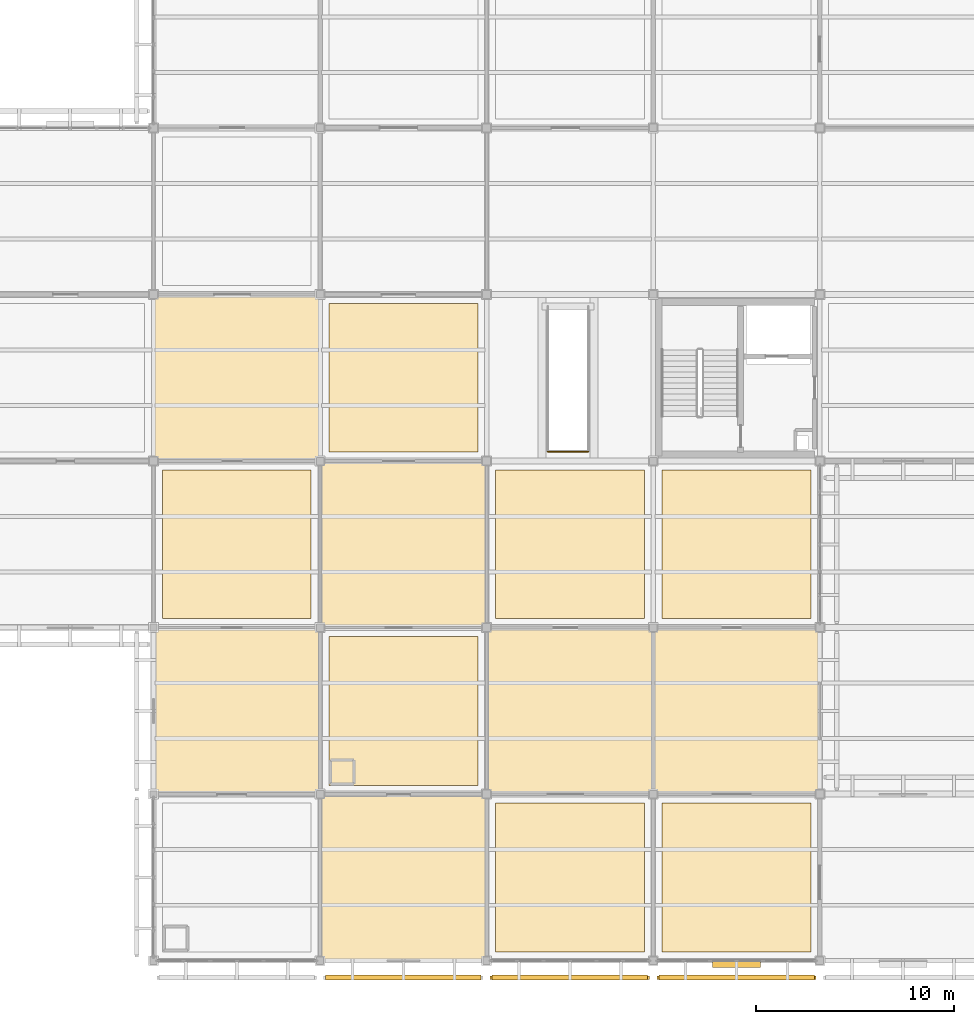
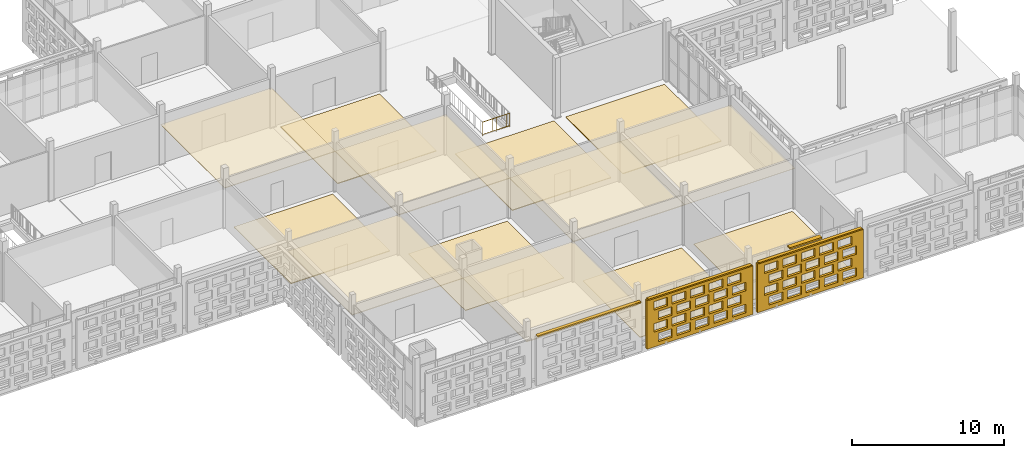
# One storey, part 183 of 203: 15 coverings, 4 shading devices, 1 railing, 40 openings.
"""IFC4 building model written with IfcOpenShell, lengths in metres."""

from ifc_helpers import new_model, si_unit, direction, frame, frame_2d, origin, origin_2d, place, context, subcontext, project, spatial, rectangle, circle, extrude, material, layer, layer_set, type_object, element, save


model = new_model("IFC4")

# Units and contexts
model_context = context("Model", 3, precision=1e-05, world=origin(), true_north=direction((0.0, 1.0)))
body_context = subcontext(model_context, "Body", "Model", "MODEL_VIEW")
ifc_project = project(units=[si_unit("LENGTHUNIT", "METRE"), si_unit("AREAUNIT", "SQUARE_METRE"), si_unit("VOLUMEUNIT", "CUBIC_METRE"), si_unit("PLANEANGLEUNIT", "RADIAN"), si_unit("MASSUNIT", "GRAM", prefix="KILO")], contexts=[model_context])

# Site, building, storey
site_placement = place(None, origin())
site = spatial("IfcSite", under=ifc_project, at=site_placement, CompositionType="ELEMENT")
building_placement = place(site_placement, origin())
building = spatial("IfcBuilding", under=site, at=building_placement, Name="Varnapada Polytechnic", CompositionType="ELEMENT")
storey_placement = place(building_placement, frame((0.0, 0.0, 4.800048828125)))
storey = spatial("IfcBuildingStorey", under=building, at=storey_placement, Name="L01", CompositionType="ELEMENT", Elevation=4.800048828125)

# Coverings
ifc_material_1 = material(Name="Anti-Static Raised Laboratory Flooring")
ifc_layer_1 = layer(ifc_material_1, 0.06005859375)
ifc_layer_set_1 = layer_set([ifc_layer_1], Name="Anti-Static Raised Laboratory Flooring")
covering_type_1 = type_object("IfcCoveringType", Name="Floor Finish FLR-02", PredefinedType="FLOORING", material=ifc_layer_set_1)
for number, where, z_axis, x_axis, name in (
    (1, (130.199951171875, 21.0, 0.0), (0.0, 0.0, 1.0), (1.0, 0.0, 0.0), "L01 floor finish panel (16,3)"),
    (2, (138.60009765625, 29.39990234375, 0.0), (0.0, 0.0, 1.0), (1.0, 0.0, 0.0), "L01 floor finish panel (17,4)"),
    (3, (147.0, 21.0, 0.0), (0.0, 0.0, 1.0), (1.0, 0.0, 0.0), "L01 floor finish panel (18,3)"),
    (4, (155.39990234375, 21.0, 0.0), (0.0, 0.0, 1.0), (1.0, 0.0, 0.0), "L01 floor finish panel (19,3)"),
):
    element("IfcCovering", number, at=place(storey_placement, frame(where, z_axis=z_axis, x_axis=x_axis)), inside=storey, type_object=covering_type_1, Name=name, PredefinedType="FLOORING", context=body_context, shape_type="SweptSolid", body=[
        extrude(rectangle(XDim=7.5, YDim=7.5, at=origin_2d()), origin(), (0.0, 0.0, 1.0), 0.06005859375),
    ])
ifc_material_2 = material(Name="Acoustic Rubber Seminar Flooring")
ifc_layer_2 = layer(ifc_material_2, 0.0400390625)
ifc_layer_set_2 = layer_set([ifc_layer_2], Name="Acoustic Rubber Seminar Flooring")
covering_type_2 = type_object("IfcCoveringType", Name="Floor Finish FLR-06", PredefinedType="FLOORING", material=ifc_layer_set_2)
for number, where, z_axis, x_axis, name in (
    (5, (138.60009765625, 12.60009765625, 0.0), (0.0, 0.0, 1.0), (1.0, 0.0, 0.0), "L01 floor finish panel (17,2)"),
    (6, (147.0, 4.199951171875, 0.0), (0.0, 0.0, 1.0), (1.0, 0.0, 0.0), "L01 floor finish panel (18,1)"),
    (7, (155.39990234375, 4.199951171875, 0.0), (0.0, 0.0, 1.0), (1.0, 0.0, 0.0), "L01 floor finish panel (19,1)"),
):
    element("IfcCovering", number, at=place(storey_placement, frame(where, z_axis=z_axis, x_axis=x_axis)), inside=storey, type_object=covering_type_2, Name=name, PredefinedType="FLOORING", context=body_context, shape_type="SweptSolid", body=[
        extrude(rectangle(XDim=7.5, YDim=7.5, at=origin_2d()), origin(), (0.0, 0.0, 1.0), 0.0400390625),
    ])

# Shading device
ifc_material_3 = material(Name="Anodised aluminium", Category="aluminium")
ifc_layer_3 = layer(ifc_material_3, 0.35009765625)
ifc_layer_set_3 = layer_set([ifc_layer_3], Name="Anodised aluminium")
shading_device_type_1 = type_object("IfcShadingDeviceType", Name="Solar Louvre LVR-01", PredefinedType="JALOUSIE", material=ifc_layer_set_3)
shading_device_placement = place(storey_placement, frame((155.39990234375, -0.179931640625, 3.760009765625), z_axis=(0.0, 0.0, 1.0), x_axis=(-1.0, 0.0, 0.0)))
element("IfcShadingDevice", 8, at=shading_device_placement, inside=storey, type_object=shading_device_type_1, Name="L01 aluminium sun louvre 124", PredefinedType="JALOUSIE", context=body_context, shape_type="SweptSolid", body=[
    extrude(rectangle(XDim=2.39990234375, YDim=0.340087890625, at=origin_2d()), origin(), (0.0, 0.0, 1.0), 0.1201171875),
])

# Railing
ifc_material_4 = material(Name="Brushed Stainless Steel 316", Category="steel")
railing_type = type_object("IfcRailingType", Name="Stair Well Guard Rail SGR-01", PredefinedType="BALUSTRADE", material=ifc_material_4)
railing_placement = place(storey_placement, frame((145.8701171875, 25.679931640625, 0.0)))
element("IfcRailing", 9, at=railing_placement, inside=storey, type_object=railing_type, Name="L01 commons stair ST-F2 well guard 3", PredefinedType="BALUSTRADE", context=body_context, shape_type="SweptSolid", body=[
    extrude(circle(Radius=0.02392578125, at=origin_2d()), frame((0.0, 0.0, 1.09619140625), z_axis=(1.0, 0.0, 0.0), x_axis=(0.0, 1.0, 0.0)), (0.0, 0.0, 1.0), 2.059814453125),
    extrude(circle(Radius=0.02392578125, at=origin_2d()), frame((0.0, 0.0, 0.10009765625), z_axis=(1.0, 0.0, 0.0), x_axis=(0.0, 1.0, 0.0)), (0.0, 0.0, 1.0), 2.059814453125),
    extrude(circle(Radius=0.02099609375, at=origin_2d()), origin(), (0.0, 0.0, 1.0), 1.072021484375),
    extrude(circle(Radius=0.02099609375, at=origin_2d()), frame((1.02978515625, 0.0, 0.0)), (0.0, 0.0, 1.0), 1.072021484375),
    extrude(circle(Radius=0.02099609375, at=origin_2d()), frame((2.059814453125, 0.0, 0.0)), (0.0, 0.0, 1.0), 1.072021484375),
    extrude(circle(Radius=0.010009765625, at=origin_2d()), frame((0.257568359375, 0.0, 0.10009765625)), (0.0, 0.0, 1.0), 0.971923828125),
    extrude(circle(Radius=0.010009765625, at=origin_2d()), frame((0.514892578125, 0.0, 0.10009765625)), (0.0, 0.0, 1.0), 0.971923828125),
    extrude(circle(Radius=0.010009765625, at=origin_2d()), frame((0.7724609375, 0.0, 0.10009765625)), (0.0, 0.0, 1.0), 0.971923828125),
    extrude(circle(Radius=0.010009765625, at=origin_2d()), frame((1.02978515625, 0.0, 0.10009765625)), (0.0, 0.0, 1.0), 0.971923828125),
    extrude(circle(Radius=0.010009765625, at=origin_2d()), frame((1.287353515625, 0.0, 0.10009765625)), (0.0, 0.0, 1.0), 0.971923828125),
    extrude(circle(Radius=0.010009765625, at=origin_2d()), frame((1.544921875, 0.0, 0.10009765625)), (0.0, 0.0, 1.0), 0.971923828125),
    extrude(circle(Radius=0.010009765625, at=origin_2d()), frame((1.80224609375, 0.0, 0.10009765625)), (0.0, 0.0, 1.0), 0.971923828125),
])

# Coverings
ifc_material_5 = material(Name="Perforated Timber Slatted Baffle Ceiling", Category="wood")
ifc_layer_4 = layer(ifc_material_5, 0.050048828125)
ifc_layer_set_4 = layer_set([ifc_layer_4], Name="Perforated Timber Slatted Baffle Ceiling")
covering_type_3 = type_object("IfcCoveringType", Name="Suspended Ceiling CLG-02", PredefinedType="CEILING", material=ifc_layer_set_4)
covering_1_placement = place(storey_placement, frame((130.199951171875, 12.60009765625, 3.02490234375), z_axis=(0.0, 0.0, 1.0), x_axis=(1.0, 0.0, 0.0)))
element("IfcCovering", 10, at=covering_1_placement, inside=storey, type_object=covering_type_3, Name="L01 suspended acoustic ceiling (16,2)", PredefinedType="CEILING", context=body_context, shape_type="SweptSolid", body=[
    extrude(rectangle(XDim=8.419921875, YDim=8.419921875, at=origin_2d()), origin(), (0.0, 0.0, 1.0), 0.050048828125),
])
ifc_material_6 = material(Name="Moisture-Resistant Aluminum Baffle Ceiling", Category="aluminium")
ifc_layer_5 = layer(ifc_material_6, 0.030029296875)
ifc_layer_set_5 = layer_set([ifc_layer_5], Name="Moisture-Resistant Aluminum Baffle Ceiling")
covering_type_4 = type_object("IfcCoveringType", Name="Suspended Ceiling CLG-03", PredefinedType="CEILING", material=ifc_layer_set_5)
covering_2_placement = place(storey_placement, frame((155.39990234375, 12.60009765625, 3.03515625), z_axis=(0.0, 0.0, 1.0), x_axis=(1.0, 0.0, 0.0)))
element("IfcCovering", 11, at=covering_2_placement, inside=storey, type_object=covering_type_4, Name="L01 suspended acoustic ceiling (19,2)", PredefinedType="CEILING", context=body_context, shape_type="SweptSolid", body=[
    extrude(rectangle(XDim=8.419921875, YDim=8.419921875, at=origin_2d()), origin(), (0.0, 0.0, 1.0), 0.030029296875),
])
ifc_material_7 = material(Name="Micro-Perforated Gypsum Acoustic Ceiling")
ifc_layer_6 = layer(ifc_material_7, 0.044921875)
ifc_layer_set_6 = layer_set([ifc_layer_6], Name="Micro-Perforated Gypsum Acoustic Ceiling")
covering_type_5 = type_object("IfcCoveringType", Name="Suspended Ceiling CLG-04", PredefinedType="CEILING", material=ifc_layer_set_6)
covering_3_placement = place(storey_placement, frame((130.199951171875, 29.39990234375, 3.027587890625), z_axis=(0.0, 0.0, 1.0), x_axis=(1.0, 0.0, 0.0)))
element("IfcCovering", 12, at=covering_3_placement, inside=storey, type_object=covering_type_5, Name="L01 suspended acoustic ceiling (16,4)", PredefinedType="CEILING", context=body_context, shape_type="SweptSolid", body=[
    extrude(rectangle(XDim=8.419921875, YDim=8.419921875, at=origin_2d()), origin(), (0.0, 0.0, 1.0), 0.044921875),
])
ifc_material_8 = material(Name="Slatted Merbau Timber Acoustic Ceiling", Category="wood")
ifc_layer_7 = layer(ifc_material_8, 0.054931640625)
ifc_layer_set_7 = layer_set([ifc_layer_7], Name="Slatted Merbau Timber Acoustic Ceiling")
covering_type_6 = type_object("IfcCoveringType", Name="Suspended Ceiling CLG-05", PredefinedType="CEILING", material=ifc_layer_set_7)
for number, where, z_axis, x_axis, name in (
    (13, (138.60009765625, 4.199951171875, 3.0224609375), (0.0, 0.0, 1.0), (1.0, 0.0, 0.0), "L01 suspended acoustic ceiling (17,1)"),
    (14, (147.0, 12.60009765625, 3.0224609375), (0.0, 0.0, 1.0), (1.0, 0.0, 0.0), "L01 suspended acoustic ceiling (18,2)"),
):
    element("IfcCovering", number, at=place(storey_placement, frame(where, z_axis=z_axis, x_axis=x_axis)), inside=storey, type_object=covering_type_6, Name=name, PredefinedType="CEILING", context=body_context, shape_type="SweptSolid", body=[
        extrude(rectangle(XDim=8.419921875, YDim=8.419921875, at=origin_2d()), origin(), (0.0, 0.0, 1.0), 0.054931640625),
    ])
ifc_material_9 = material(Name="Deep Acoustic Auditorium Cloud Baffle")
ifc_layer_8 = layer(ifc_material_9, 0.06494140625)
ifc_layer_set_8 = layer_set([ifc_layer_8], Name="Deep Acoustic Auditorium Cloud Baffle")
covering_type_7 = type_object("IfcCoveringType", Name="Suspended Ceiling CLG-07", PredefinedType="CEILING", material=ifc_layer_set_8)
covering_4_placement = place(storey_placement, frame((138.60009765625, 21.0, 3.017578125), z_axis=(0.0, 0.0, 1.0), x_axis=(1.0, 0.0, 0.0)))
element("IfcCovering", 15, at=covering_4_placement, inside=storey, type_object=covering_type_7, Name="L01 suspended acoustic ceiling (17,3)", PredefinedType="CEILING", context=body_context, shape_type="SweptSolid", body=[
    extrude(rectangle(XDim=8.419921875, YDim=8.419921875, at=origin_2d()), origin(), (0.0, 0.0, 1.0), 0.06494140625),
])

# Covering, openings
ifc_material_10 = material(Name="Earth-toned architectural terracotta screen block", Category="masonry")
ifc_layer_9 = layer(ifc_material_10, 0.1201171875)
ifc_layer_set_9 = layer_set([ifc_layer_9], Name="Earth-toned architectural terracotta screen block")
covering_type_8 = type_object("IfcCoveringType", Name="Terracotta Screen Cladding CLD-01", PredefinedType="CLADDING", material=ifc_layer_set_9)
covering_5_placement = place(storey_placement, frame((151.02001953125, -0.85009765625, 0.0), z_axis=(0.0, 0.0, 1.0), x_axis=(-1.0, 0.0, 0.0)))
covering_5 = element("IfcCovering", 16, at=covering_5_placement, inside=storey, type_object=covering_type_8, Name="L01 perforated terracotta block screen (120)", PredefinedType="CLADDING", context=body_context, shape_type="SweptSolid", body=[
    extrude(rectangle(XDim=8.0400390625, YDim=0.179931640625, at=frame_2d((4.02001953125, 0.0))), origin(), (0.0, 0.0, 1.0), 3.919921875),
])
opening_1_placement = place(covering_5_placement, frame((0.52001953125, 0.0, 0.313720703125)))
element("IfcOpeningElement", 17, at=opening_1_placement, cuts=covering_5, Name="Screen perforation TBS-L01-119.1", PredefinedType="OPENING", context=body_context, shape_type="SweptSolid", body=[
    extrude(rectangle(XDim=1.0400390625, YDim=0.679931640625, at=frame_2d((0.52001953125, 0.33984375))), frame((0.0, 0.099853515625, 0.0), z_axis=(0.0, -1.0, 0.0), x_axis=(1.0, 0.0, 0.0)), (0.0, 0.0, 1.0), 0.199951171875),
])
opening_2_placement = place(covering_5_placement, frame((1.919921875, 0.0, 0.313720703125)))
element("IfcOpeningElement", 18, at=opening_2_placement, cuts=covering_5, Name="Screen perforation TBS-L01-119.2", PredefinedType="OPENING", context=body_context, shape_type="SweptSolid", body=[
    extrude(rectangle(XDim=1.0400390625, YDim=0.679931640625, at=frame_2d((0.52001953125, 0.33984375))), frame((0.0, 0.099853515625, 0.0), z_axis=(0.0, -1.0, 0.0), x_axis=(1.0, 0.0, 0.0)), (0.0, 0.0, 1.0), 0.199951171875),
])
opening_3_placement = place(covering_5_placement, frame((3.320068359375, 0.0, 0.313720703125)))
element("IfcOpeningElement", 19, at=opening_3_placement, cuts=covering_5, Name="Screen perforation TBS-L01-119.3", PredefinedType="OPENING", context=body_context, shape_type="SweptSolid", body=[
    extrude(rectangle(XDim=1.0400390625, YDim=0.679931640625, at=frame_2d((0.52001953125, 0.33984375))), frame((0.0, 0.099853515625, 0.0), z_axis=(0.0, -1.0, 0.0), x_axis=(1.0, 0.0, 0.0)), (0.0, 0.0, 1.0), 0.199951171875),
])
opening_4_placement = place(covering_5_placement, frame((4.719970703125, 0.0, 0.313720703125)))
element("IfcOpeningElement", 20, at=opening_4_placement, cuts=covering_5, Name="Screen perforation TBS-L01-119.4", PredefinedType="OPENING", context=body_context, shape_type="SweptSolid", body=[
    extrude(rectangle(XDim=1.0400390625, YDim=0.679931640625, at=frame_2d((0.52001953125, 0.33984375))), frame((0.0, 0.099853515625, 0.0), z_axis=(0.0, -1.0, 0.0), x_axis=(1.0, 0.0, 0.0)), (0.0, 0.0, 1.0), 0.199951171875),
])
opening_5_placement = place(covering_5_placement, frame((6.1201171875, 0.0, 0.313720703125)))
element("IfcOpeningElement", 21, at=opening_5_placement, cuts=covering_5, Name="Screen perforation TBS-L01-119.5", PredefinedType="OPENING", context=body_context, shape_type="SweptSolid", body=[
    extrude(rectangle(XDim=1.0400390625, YDim=0.679931640625, at=frame_2d((0.52001953125, 0.33984375))), frame((0.0, 0.099853515625, 0.0), z_axis=(0.0, -1.0, 0.0), x_axis=(1.0, 0.0, 0.0)), (0.0, 0.0, 1.0), 0.199951171875),
])
opening_6_placement = place(covering_5_placement, frame((0.8798828125, 0.0, 1.195556640625)))
element("IfcOpeningElement", 22, at=opening_6_placement, cuts=covering_5, Name="Screen perforation TBS-L01-119.6", PredefinedType="OPENING", context=body_context, shape_type="SweptSolid", body=[
    extrude(rectangle(XDim=1.0400390625, YDim=0.679931640625, at=frame_2d((0.52001953125, 0.33984375))), frame((0.0, 0.099853515625, 0.0), z_axis=(0.0, -1.0, 0.0), x_axis=(1.0, 0.0, 0.0)), (0.0, 0.0, 1.0), 0.199951171875),
])
opening_7_placement = place(covering_5_placement, frame((2.280029296875, 0.0, 1.195556640625)))
element("IfcOpeningElement", 23, at=opening_7_placement, cuts=covering_5, Name="Screen perforation TBS-L01-119.7", PredefinedType="OPENING", context=body_context, shape_type="SweptSolid", body=[
    extrude(rectangle(XDim=1.0400390625, YDim=0.679931640625, at=frame_2d((0.52001953125, 0.33984375))), frame((0.0, 0.099853515625, 0.0), z_axis=(0.0, -1.0, 0.0), x_axis=(1.0, 0.0, 0.0)), (0.0, 0.0, 1.0), 0.199951171875),
])
opening_8_placement = place(covering_5_placement, frame((3.679931640625, 0.0, 1.195556640625)))
element("IfcOpeningElement", 24, at=opening_8_placement, cuts=covering_5, Name="Screen perforation TBS-L01-119.8", PredefinedType="OPENING", context=body_context, shape_type="SweptSolid", body=[
    extrude(rectangle(XDim=1.0400390625, YDim=0.679931640625, at=frame_2d((0.52001953125, 0.33984375))), frame((0.0, 0.099853515625, 0.0), z_axis=(0.0, -1.0, 0.0), x_axis=(1.0, 0.0, 0.0)), (0.0, 0.0, 1.0), 0.199951171875),
])
opening_9_placement = place(covering_5_placement, frame((5.080078125, 0.0, 1.195556640625)))
element("IfcOpeningElement", 25, at=opening_9_placement, cuts=covering_5, Name="Screen perforation TBS-L01-119.9", PredefinedType="OPENING", context=body_context, shape_type="SweptSolid", body=[
    extrude(rectangle(XDim=1.0400390625, YDim=0.679931640625, at=frame_2d((0.52001953125, 0.33984375))), frame((0.0, 0.099853515625, 0.0), z_axis=(0.0, -1.0, 0.0), x_axis=(1.0, 0.0, 0.0)), (0.0, 0.0, 1.0), 0.199951171875),
])
opening_10_placement = place(covering_5_placement, frame((6.47998046875, 0.0, 1.195556640625)))
element("IfcOpeningElement", 26, at=opening_10_placement, cuts=covering_5, Name="Screen perforation TBS-L01-119.10", PredefinedType="OPENING", context=body_context, shape_type="SweptSolid", body=[
    extrude(rectangle(XDim=1.0400390625, YDim=0.679931640625, at=frame_2d((0.52001953125, 0.33984375))), frame((0.0, 0.099853515625, 0.0), z_axis=(0.0, -1.0, 0.0), x_axis=(1.0, 0.0, 0.0)), (0.0, 0.0, 1.0), 0.199951171875),
])
opening_11_placement = place(covering_5_placement, frame((0.52001953125, 0.0, 2.07763671875)))
element("IfcOpeningElement", 27, at=opening_11_placement, cuts=covering_5, Name="Screen perforation TBS-L01-119.11", PredefinedType="OPENING", context=body_context, shape_type="SweptSolid", body=[
    extrude(rectangle(XDim=1.0400390625, YDim=0.679931640625, at=frame_2d((0.52001953125, 0.33984375))), frame((0.0, 0.099853515625, 0.0), z_axis=(0.0, -1.0, 0.0), x_axis=(1.0, 0.0, 0.0)), (0.0, 0.0, 1.0), 0.199951171875),
])
opening_12_placement = place(covering_5_placement, frame((1.919921875, 0.0, 2.07763671875)))
element("IfcOpeningElement", 28, at=opening_12_placement, cuts=covering_5, Name="Screen perforation TBS-L01-119.12", PredefinedType="OPENING", context=body_context, shape_type="SweptSolid", body=[
    extrude(rectangle(XDim=1.0400390625, YDim=0.679931640625, at=frame_2d((0.52001953125, 0.33984375))), frame((0.0, 0.099853515625, 0.0), z_axis=(0.0, -1.0, 0.0), x_axis=(1.0, 0.0, 0.0)), (0.0, 0.0, 1.0), 0.199951171875),
])
opening_13_placement = place(covering_5_placement, frame((3.320068359375, 0.0, 2.07763671875)))
element("IfcOpeningElement", 29, at=opening_13_placement, cuts=covering_5, Name="Screen perforation TBS-L01-119.13", PredefinedType="OPENING", context=body_context, shape_type="SweptSolid", body=[
    extrude(rectangle(XDim=1.0400390625, YDim=0.679931640625, at=frame_2d((0.52001953125, 0.33984375))), frame((0.0, 0.099853515625, 0.0), z_axis=(0.0, -1.0, 0.0), x_axis=(1.0, 0.0, 0.0)), (0.0, 0.0, 1.0), 0.199951171875),
])
opening_14_placement = place(covering_5_placement, frame((4.719970703125, 0.0, 2.07763671875)))
element("IfcOpeningElement", 30, at=opening_14_placement, cuts=covering_5, Name="Screen perforation TBS-L01-119.14", PredefinedType="OPENING", context=body_context, shape_type="SweptSolid", body=[
    extrude(rectangle(XDim=1.0400390625, YDim=0.679931640625, at=frame_2d((0.52001953125, 0.33984375))), frame((0.0, 0.099853515625, 0.0), z_axis=(0.0, -1.0, 0.0), x_axis=(1.0, 0.0, 0.0)), (0.0, 0.0, 1.0), 0.199951171875),
])
opening_15_placement = place(covering_5_placement, frame((6.1201171875, 0.0, 2.07763671875)))
element("IfcOpeningElement", 31, at=opening_15_placement, cuts=covering_5, Name="Screen perforation TBS-L01-119.15", PredefinedType="OPENING", context=body_context, shape_type="SweptSolid", body=[
    extrude(rectangle(XDim=1.0400390625, YDim=0.679931640625, at=frame_2d((0.52001953125, 0.33984375))), frame((0.0, 0.099853515625, 0.0), z_axis=(0.0, -1.0, 0.0), x_axis=(1.0, 0.0, 0.0)), (0.0, 0.0, 1.0), 0.199951171875),
])
opening_16_placement = place(covering_5_placement, frame((0.8798828125, 0.0, 2.959716796875)))
element("IfcOpeningElement", 32, at=opening_16_placement, cuts=covering_5, Name="Screen perforation TBS-L01-119.16", PredefinedType="OPENING", context=body_context, shape_type="SweptSolid", body=[
    extrude(rectangle(XDim=1.0400390625, YDim=0.679931640625, at=frame_2d((0.52001953125, 0.33984375))), frame((0.0, 0.099853515625, 0.0), z_axis=(0.0, -1.0, 0.0), x_axis=(1.0, 0.0, 0.0)), (0.0, 0.0, 1.0), 0.199951171875),
])
opening_17_placement = place(covering_5_placement, frame((2.280029296875, 0.0, 2.959716796875)))
element("IfcOpeningElement", 33, at=opening_17_placement, cuts=covering_5, Name="Screen perforation TBS-L01-119.17", PredefinedType="OPENING", context=body_context, shape_type="SweptSolid", body=[
    extrude(rectangle(XDim=1.0400390625, YDim=0.679931640625, at=frame_2d((0.52001953125, 0.33984375))), frame((0.0, 0.099853515625, 0.0), z_axis=(0.0, -1.0, 0.0), x_axis=(1.0, 0.0, 0.0)), (0.0, 0.0, 1.0), 0.199951171875),
])
opening_18_placement = place(covering_5_placement, frame((3.679931640625, 0.0, 2.959716796875)))
element("IfcOpeningElement", 34, at=opening_18_placement, cuts=covering_5, Name="Screen perforation TBS-L01-119.18", PredefinedType="OPENING", context=body_context, shape_type="SweptSolid", body=[
    extrude(rectangle(XDim=1.0400390625, YDim=0.679931640625, at=frame_2d((0.52001953125, 0.33984375))), frame((0.0, 0.099853515625, 0.0), z_axis=(0.0, -1.0, 0.0), x_axis=(1.0, 0.0, 0.0)), (0.0, 0.0, 1.0), 0.199951171875),
])
opening_19_placement = place(covering_5_placement, frame((5.080078125, 0.0, 2.959716796875)))
element("IfcOpeningElement", 35, at=opening_19_placement, cuts=covering_5, Name="Screen perforation TBS-L01-119.19", PredefinedType="OPENING", context=body_context, shape_type="SweptSolid", body=[
    extrude(rectangle(XDim=1.0400390625, YDim=0.679931640625, at=frame_2d((0.52001953125, 0.33984375))), frame((0.0, 0.099853515625, 0.0), z_axis=(0.0, -1.0, 0.0), x_axis=(1.0, 0.0, 0.0)), (0.0, 0.0, 1.0), 0.199951171875),
])
opening_20_placement = place(covering_5_placement, frame((6.47998046875, 0.0, 2.959716796875)))
element("IfcOpeningElement", 36, at=opening_20_placement, cuts=covering_5, Name="Screen perforation TBS-L01-119.20", PredefinedType="OPENING", context=body_context, shape_type="SweptSolid", body=[
    extrude(rectangle(XDim=1.0400390625, YDim=0.679931640625, at=frame_2d((0.52001953125, 0.33984375))), frame((0.0, 0.099853515625, 0.0), z_axis=(0.0, -1.0, 0.0), x_axis=(1.0, 0.0, 0.0)), (0.0, 0.0, 1.0), 0.199951171875),
])

covering_6_placement = place(storey_placement, frame((159.419921875, -0.85009765625, 0.0), z_axis=(0.0, 0.0, 1.0), x_axis=(-1.0, 0.0, 0.0)))
covering_6 = element("IfcCovering", 37, at=covering_6_placement, inside=storey, type_object=covering_type_8, Name="L01 perforated terracotta block screen (124)", PredefinedType="CLADDING", context=body_context, shape_type="SweptSolid", body=[
    extrude(rectangle(XDim=8.0400390625, YDim=0.179931640625, at=frame_2d((4.02001953125, 0.0))), origin(), (0.0, 0.0, 1.0), 3.919921875),
])
opening_21_placement = place(covering_6_placement, frame((0.52001953125, 0.0, 0.313720703125)))
element("IfcOpeningElement", 38, at=opening_21_placement, cuts=covering_6, Name="Screen perforation TBS-L01-123.1", PredefinedType="OPENING", context=body_context, shape_type="SweptSolid", body=[
    extrude(rectangle(XDim=1.0400390625, YDim=0.679931640625, at=frame_2d((0.52001953125, 0.33984375))), frame((0.0, 0.099853515625, 0.0), z_axis=(0.0, -1.0, 0.0), x_axis=(1.0, 0.0, 0.0)), (0.0, 0.0, 1.0), 0.199951171875),
])
opening_22_placement = place(covering_6_placement, frame((1.919921875, 0.0, 0.313720703125)))
element("IfcOpeningElement", 39, at=opening_22_placement, cuts=covering_6, Name="Screen perforation TBS-L01-123.2", PredefinedType="OPENING", context=body_context, shape_type="SweptSolid", body=[
    extrude(rectangle(XDim=1.0400390625, YDim=0.679931640625, at=frame_2d((0.52001953125, 0.33984375))), frame((0.0, 0.099853515625, 0.0), z_axis=(0.0, -1.0, 0.0), x_axis=(1.0, 0.0, 0.0)), (0.0, 0.0, 1.0), 0.199951171875),
])
opening_23_placement = place(covering_6_placement, frame((3.320068359375, 0.0, 0.313720703125)))
element("IfcOpeningElement", 40, at=opening_23_placement, cuts=covering_6, Name="Screen perforation TBS-L01-123.3", PredefinedType="OPENING", context=body_context, shape_type="SweptSolid", body=[
    extrude(rectangle(XDim=1.0400390625, YDim=0.679931640625, at=frame_2d((0.52001953125, 0.33984375))), frame((0.0, 0.099853515625, 0.0), z_axis=(0.0, -1.0, 0.0), x_axis=(1.0, 0.0, 0.0)), (0.0, 0.0, 1.0), 0.199951171875),
])
opening_24_placement = place(covering_6_placement, frame((4.719970703125, 0.0, 0.313720703125)))
element("IfcOpeningElement", 41, at=opening_24_placement, cuts=covering_6, Name="Screen perforation TBS-L01-123.4", PredefinedType="OPENING", context=body_context, shape_type="SweptSolid", body=[
    extrude(rectangle(XDim=1.0400390625, YDim=0.679931640625, at=frame_2d((0.52001953125, 0.33984375))), frame((0.0, 0.099853515625, 0.0), z_axis=(0.0, -1.0, 0.0), x_axis=(1.0, 0.0, 0.0)), (0.0, 0.0, 1.0), 0.199951171875),
])
opening_25_placement = place(covering_6_placement, frame((6.1201171875, 0.0, 0.313720703125)))
element("IfcOpeningElement", 42, at=opening_25_placement, cuts=covering_6, Name="Screen perforation TBS-L01-123.5", PredefinedType="OPENING", context=body_context, shape_type="SweptSolid", body=[
    extrude(rectangle(XDim=1.0400390625, YDim=0.679931640625, at=frame_2d((0.52001953125, 0.33984375))), frame((0.0, 0.099853515625, 0.0), z_axis=(0.0, -1.0, 0.0), x_axis=(1.0, 0.0, 0.0)), (0.0, 0.0, 1.0), 0.199951171875),
])
opening_26_placement = place(covering_6_placement, frame((0.8798828125, 0.0, 1.195556640625)))
element("IfcOpeningElement", 43, at=opening_26_placement, cuts=covering_6, Name="Screen perforation TBS-L01-123.6", PredefinedType="OPENING", context=body_context, shape_type="SweptSolid", body=[
    extrude(rectangle(XDim=1.0400390625, YDim=0.679931640625, at=frame_2d((0.52001953125, 0.33984375))), frame((0.0, 0.099853515625, 0.0), z_axis=(0.0, -1.0, 0.0), x_axis=(1.0, 0.0, 0.0)), (0.0, 0.0, 1.0), 0.199951171875),
])
opening_27_placement = place(covering_6_placement, frame((2.280029296875, 0.0, 1.195556640625)))
element("IfcOpeningElement", 44, at=opening_27_placement, cuts=covering_6, Name="Screen perforation TBS-L01-123.7", PredefinedType="OPENING", context=body_context, shape_type="SweptSolid", body=[
    extrude(rectangle(XDim=1.0400390625, YDim=0.679931640625, at=frame_2d((0.52001953125, 0.33984375))), frame((0.0, 0.099853515625, 0.0), z_axis=(0.0, -1.0, 0.0), x_axis=(1.0, 0.0, 0.0)), (0.0, 0.0, 1.0), 0.199951171875),
])
opening_28_placement = place(covering_6_placement, frame((3.679931640625, 0.0, 1.195556640625)))
element("IfcOpeningElement", 45, at=opening_28_placement, cuts=covering_6, Name="Screen perforation TBS-L01-123.8", PredefinedType="OPENING", context=body_context, shape_type="SweptSolid", body=[
    extrude(rectangle(XDim=1.0400390625, YDim=0.679931640625, at=frame_2d((0.52001953125, 0.33984375))), frame((0.0, 0.099853515625, 0.0), z_axis=(0.0, -1.0, 0.0), x_axis=(1.0, 0.0, 0.0)), (0.0, 0.0, 1.0), 0.199951171875),
])
opening_29_placement = place(covering_6_placement, frame((5.080078125, 0.0, 1.195556640625)))
element("IfcOpeningElement", 46, at=opening_29_placement, cuts=covering_6, Name="Screen perforation TBS-L01-123.9", PredefinedType="OPENING", context=body_context, shape_type="SweptSolid", body=[
    extrude(rectangle(XDim=1.0400390625, YDim=0.679931640625, at=frame_2d((0.52001953125, 0.33984375))), frame((0.0, 0.099853515625, 0.0), z_axis=(0.0, -1.0, 0.0), x_axis=(1.0, 0.0, 0.0)), (0.0, 0.0, 1.0), 0.199951171875),
])
opening_30_placement = place(covering_6_placement, frame((6.47998046875, 0.0, 1.195556640625)))
element("IfcOpeningElement", 47, at=opening_30_placement, cuts=covering_6, Name="Screen perforation TBS-L01-123.10", PredefinedType="OPENING", context=body_context, shape_type="SweptSolid", body=[
    extrude(rectangle(XDim=1.0400390625, YDim=0.679931640625, at=frame_2d((0.52001953125, 0.33984375))), frame((0.0, 0.099853515625, 0.0), z_axis=(0.0, -1.0, 0.0), x_axis=(1.0, 0.0, 0.0)), (0.0, 0.0, 1.0), 0.199951171875),
])
opening_31_placement = place(covering_6_placement, frame((0.52001953125, 0.0, 2.07763671875)))
element("IfcOpeningElement", 48, at=opening_31_placement, cuts=covering_6, Name="Screen perforation TBS-L01-123.11", PredefinedType="OPENING", context=body_context, shape_type="SweptSolid", body=[
    extrude(rectangle(XDim=1.0400390625, YDim=0.679931640625, at=frame_2d((0.52001953125, 0.33984375))), frame((0.0, 0.099853515625, 0.0), z_axis=(0.0, -1.0, 0.0), x_axis=(1.0, 0.0, 0.0)), (0.0, 0.0, 1.0), 0.199951171875),
])
opening_32_placement = place(covering_6_placement, frame((1.919921875, 0.0, 2.07763671875)))
element("IfcOpeningElement", 49, at=opening_32_placement, cuts=covering_6, Name="Screen perforation TBS-L01-123.12", PredefinedType="OPENING", context=body_context, shape_type="SweptSolid", body=[
    extrude(rectangle(XDim=1.0400390625, YDim=0.679931640625, at=frame_2d((0.52001953125, 0.33984375))), frame((0.0, 0.099853515625, 0.0), z_axis=(0.0, -1.0, 0.0), x_axis=(1.0, 0.0, 0.0)), (0.0, 0.0, 1.0), 0.199951171875),
])
opening_33_placement = place(covering_6_placement, frame((3.320068359375, 0.0, 2.07763671875)))
element("IfcOpeningElement", 50, at=opening_33_placement, cuts=covering_6, Name="Screen perforation TBS-L01-123.13", PredefinedType="OPENING", context=body_context, shape_type="SweptSolid", body=[
    extrude(rectangle(XDim=1.0400390625, YDim=0.679931640625, at=frame_2d((0.52001953125, 0.33984375))), frame((0.0, 0.099853515625, 0.0), z_axis=(0.0, -1.0, 0.0), x_axis=(1.0, 0.0, 0.0)), (0.0, 0.0, 1.0), 0.199951171875),
])
opening_34_placement = place(covering_6_placement, frame((4.719970703125, 0.0, 2.07763671875)))
element("IfcOpeningElement", 51, at=opening_34_placement, cuts=covering_6, Name="Screen perforation TBS-L01-123.14", PredefinedType="OPENING", context=body_context, shape_type="SweptSolid", body=[
    extrude(rectangle(XDim=1.0400390625, YDim=0.679931640625, at=frame_2d((0.52001953125, 0.33984375))), frame((0.0, 0.099853515625, 0.0), z_axis=(0.0, -1.0, 0.0), x_axis=(1.0, 0.0, 0.0)), (0.0, 0.0, 1.0), 0.199951171875),
])
opening_35_placement = place(covering_6_placement, frame((6.1201171875, 0.0, 2.07763671875)))
element("IfcOpeningElement", 52, at=opening_35_placement, cuts=covering_6, Name="Screen perforation TBS-L01-123.15", PredefinedType="OPENING", context=body_context, shape_type="SweptSolid", body=[
    extrude(rectangle(XDim=1.0400390625, YDim=0.679931640625, at=frame_2d((0.52001953125, 0.33984375))), frame((0.0, 0.099853515625, 0.0), z_axis=(0.0, -1.0, 0.0), x_axis=(1.0, 0.0, 0.0)), (0.0, 0.0, 1.0), 0.199951171875),
])
opening_36_placement = place(covering_6_placement, frame((0.8798828125, 0.0, 2.959716796875)))
element("IfcOpeningElement", 53, at=opening_36_placement, cuts=covering_6, Name="Screen perforation TBS-L01-123.16", PredefinedType="OPENING", context=body_context, shape_type="SweptSolid", body=[
    extrude(rectangle(XDim=1.0400390625, YDim=0.679931640625, at=frame_2d((0.52001953125, 0.33984375))), frame((0.0, 0.099853515625, 0.0), z_axis=(0.0, -1.0, 0.0), x_axis=(1.0, 0.0, 0.0)), (0.0, 0.0, 1.0), 0.199951171875),
])
opening_37_placement = place(covering_6_placement, frame((2.280029296875, 0.0, 2.959716796875)))
element("IfcOpeningElement", 54, at=opening_37_placement, cuts=covering_6, Name="Screen perforation TBS-L01-123.17", PredefinedType="OPENING", context=body_context, shape_type="SweptSolid", body=[
    extrude(rectangle(XDim=1.0400390625, YDim=0.679931640625, at=frame_2d((0.52001953125, 0.33984375))), frame((0.0, 0.099853515625, 0.0), z_axis=(0.0, -1.0, 0.0), x_axis=(1.0, 0.0, 0.0)), (0.0, 0.0, 1.0), 0.199951171875),
])
opening_38_placement = place(covering_6_placement, frame((3.679931640625, 0.0, 2.959716796875)))
element("IfcOpeningElement", 55, at=opening_38_placement, cuts=covering_6, Name="Screen perforation TBS-L01-123.18", PredefinedType="OPENING", context=body_context, shape_type="SweptSolid", body=[
    extrude(rectangle(XDim=1.0400390625, YDim=0.679931640625, at=frame_2d((0.52001953125, 0.33984375))), frame((0.0, 0.099853515625, 0.0), z_axis=(0.0, -1.0, 0.0), x_axis=(1.0, 0.0, 0.0)), (0.0, 0.0, 1.0), 0.199951171875),
])
opening_39_placement = place(covering_6_placement, frame((5.080078125, 0.0, 2.959716796875)))
element("IfcOpeningElement", 56, at=opening_39_placement, cuts=covering_6, Name="Screen perforation TBS-L01-123.19", PredefinedType="OPENING", context=body_context, shape_type="SweptSolid", body=[
    extrude(rectangle(XDim=1.0400390625, YDim=0.679931640625, at=frame_2d((0.52001953125, 0.33984375))), frame((0.0, 0.099853515625, 0.0), z_axis=(0.0, -1.0, 0.0), x_axis=(1.0, 0.0, 0.0)), (0.0, 0.0, 1.0), 0.199951171875),
])
opening_40_placement = place(covering_6_placement, frame((6.47998046875, 0.0, 2.959716796875)))
element("IfcOpeningElement", 57, at=opening_40_placement, cuts=covering_6, Name="Screen perforation TBS-L01-123.20", PredefinedType="OPENING", context=body_context, shape_type="SweptSolid", body=[
    extrude(rectangle(XDim=1.0400390625, YDim=0.679931640625, at=frame_2d((0.52001953125, 0.33984375))), frame((0.0, 0.099853515625, 0.0), z_axis=(0.0, -1.0, 0.0), x_axis=(1.0, 0.0, 0.0)), (0.0, 0.0, 1.0), 0.199951171875),
])

# Shading devices
ifc_layer_10 = layer(ifc_material_10, 0.179931640625)
ifc_layer_set_10 = layer_set([ifc_layer_10], Name="Earth-toned architectural terracotta screen block")
shading_device_type_2 = type_object("IfcShadingDeviceType", Name="Terracotta Screen SCR-02", PredefinedType="USERDEFINED", material=ifc_layer_set_10)
for number, where, z_axis, x_axis, name in (
    (58, (138.60009765625, -0.85009765625, 3.909912109375), (0.0, 0.0, 1.0), (-1.0, 0.0, 0.0), "L01 perforated terracotta screen hood 191"),
    (59, (147.0, -0.85009765625, 3.909912109375), (0.0, 0.0, 1.0), (-1.0, 0.0, 0.0), "L01 perforated terracotta screen hood 198"),
    (60, (155.39990234375, -0.85009765625, 3.909912109375), (0.0, 0.0, 1.0), (-1.0, 0.0, 0.0), "L01 perforated terracotta screen hood 202"),
):
    element("IfcShadingDevice", number, at=place(storey_placement, frame(where, z_axis=z_axis, x_axis=x_axis)), inside=storey, type_object=shading_device_type_2, Name=name, ObjectType="SCREEN", PredefinedType="USERDEFINED", context=body_context, shape_type="SweptSolid", body=[
        extrude(rectangle(XDim=7.840087890625, YDim=0.239990234375, at=origin_2d()), origin(), (0.0, 0.0, 1.0), 0.10009765625),
    ])

save(model, "model.ifc")
